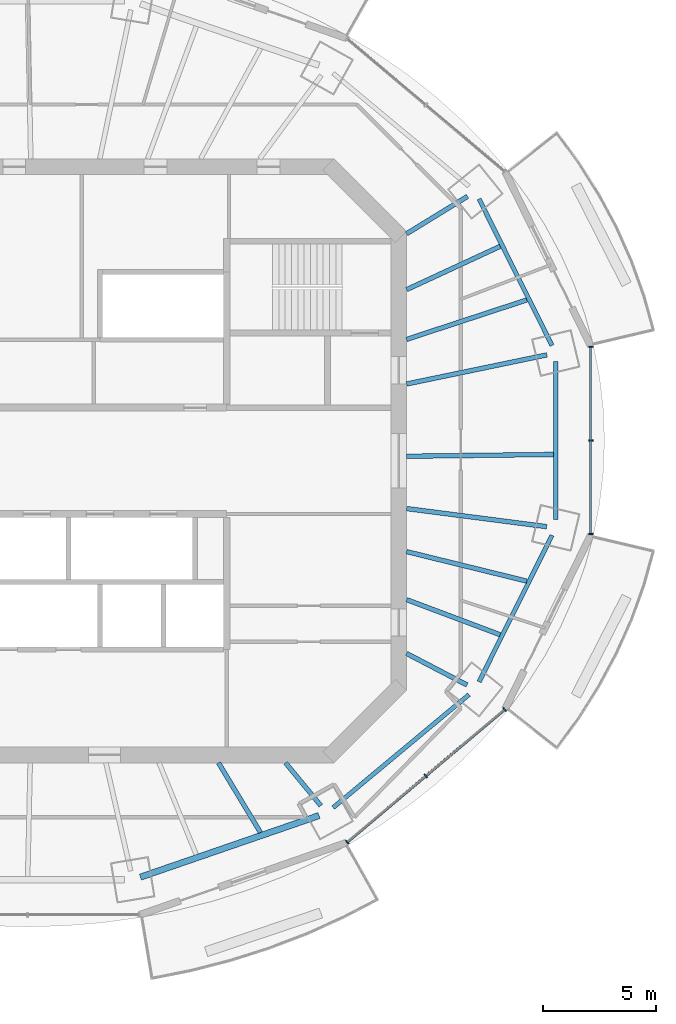
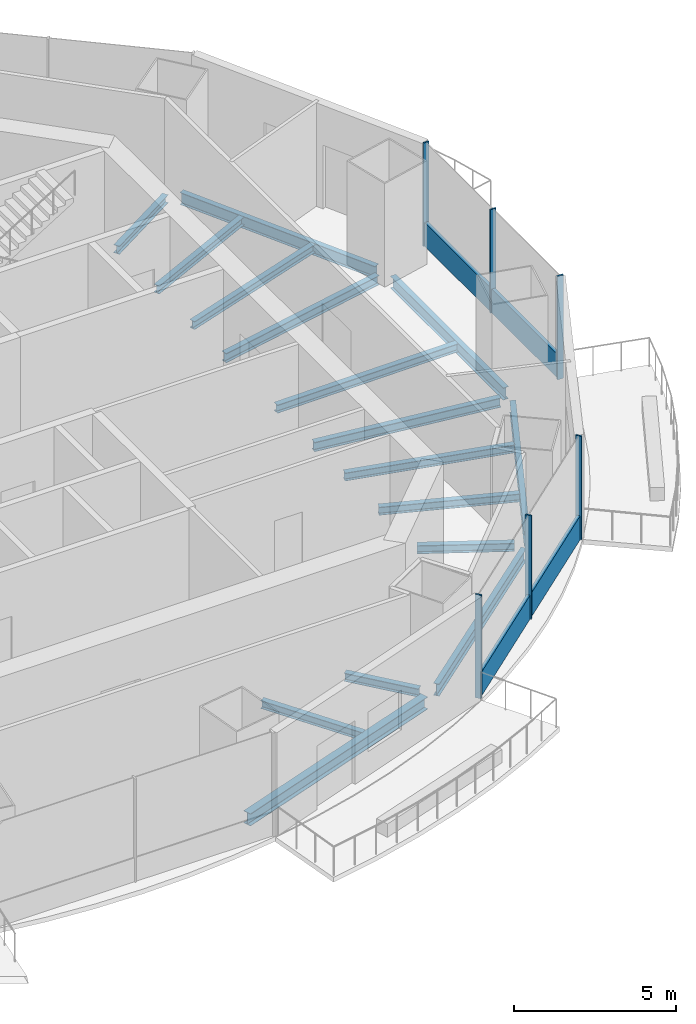
# One storey, part 4 of 14: 16 beams, 8 members, 2 elements without a shape of their own.
"""IFC4 building model written with IfcOpenShell, lengths in metres."""

from ifc_helpers import new_model, si_unit, direction, frame, origin, origin_2d, place, context, subcontext, project, spatial, rectangle, i_section, extrude, material, material_profile, profile_set, type_object, element, aggregate, save


model = new_model("IFC4")

# Units and contexts
model_context = context("Model", 3, precision=1e-05, world=origin(), true_north=direction((0.0, 1.0)))
body_context = subcontext(model_context, "Body", "Model", "MODEL_VIEW")
ifc_project = project(units=[si_unit("LENGTHUNIT", "METRE"), si_unit("AREAUNIT", "SQUARE_METRE"), si_unit("VOLUMEUNIT", "CUBIC_METRE"), si_unit("PLANEANGLEUNIT", "RADIAN"), si_unit("MASSUNIT", "GRAM", prefix="KILO")], contexts=[model_context])

# Site, building, storey
site_placement = place(None, origin())
site = spatial("IfcSite", under=ifc_project, at=site_placement, CompositionType="ELEMENT")
building_placement = place(site_placement, origin())
building = spatial("IfcBuilding", under=site, at=building_placement, Name="Marenthal Gate Tower", CompositionType="ELEMENT")
storey_placement = place(building_placement, frame((0.0, 0.0, 392.39990234375)))
storey = spatial("IfcBuildingStorey", under=building, at=storey_placement, Name="L89", CompositionType="ELEMENT", Elevation=392.39990234375)

# Curtain wall, members
ifc_material_1 = material(Name="Aluminium and glass", Category="aluminium")
curtain_wall_type = type_object("IfcCurtainWallType", Name="Curtain wall typical high", PredefinedType="NOTDEFINED", material=ifc_material_1)
curtain_wall_1_placement = place(storey_placement, origin())
curtain_wall_1 = element("IfcCurtainWall", 1, at=curtain_wall_1_placement, inside=storey, type_object=curtain_wall_type, Name="Curtain wall L89 bay 14", PredefinedType="NOTDEFINED")
ifc_material_2 = material(Name="Aluminium", Category="aluminium")
ifc_material_profile_1 = material_profile(ifc_material_2, rectangle(XDim=0.199951171875, YDim=0.06005859375, at=origin_2d()), Name="60x200 aluminium mullion")
ifc_profile_set_1 = profile_set([ifc_material_profile_1], Name="Aluminium")
member_type_1 = type_object("IfcMemberType", Name="Mullion 60x200 typical high", PredefinedType="MULLION", material=ifc_profile_set_1)
member_1_placement = place(storey_placement, frame((13.723388671875, -16.857421875, 0.0), z_axis=(0.0, 0.0, 1.0), x_axis=(-0.644265226944, 0.764802142616, 0.0)))
member_1 = element("IfcMember", 2, at=member_1_placement, type_object=member_type_1, Name="Mullion L89 bay 14.1", PredefinedType="MULLION", context=body_context, shape_type="SweptSolid", body=[
    extrude(rectangle(XDim=0.199951171875, YDim=0.06005859375, at=origin_2d()), origin(), (0.0, 0.0, 1.0), 3.900146484375),
])
member_2_placement = place(storey_placement, frame((17.20166015625, -13.927490234375, 0.0), z_axis=(0.0, 0.0, 1.0), x_axis=(-0.644265226944, 0.764802142616, 0.0)))
member_2 = element("IfcMember", 3, at=member_2_placement, type_object=member_type_1, Name="Mullion L89 bay 14.2", PredefinedType="MULLION", context=body_context, shape_type="SweptSolid", body=[
    extrude(rectangle(XDim=0.199951171875, YDim=0.06005859375, at=origin_2d()), origin(), (0.0, 0.0, 1.0), 3.900146484375),
])
member_3_placement = place(storey_placement, frame((20.6796875, -10.997314453125, 0.0), z_axis=(0.0, 0.0, 1.0), x_axis=(-0.644265226944, 0.764802142616, 0.0)))
member_3 = element("IfcMember", 4, at=member_3_placement, type_object=member_type_1, Name="Mullion L89 bay 14.3", PredefinedType="MULLION", context=body_context, shape_type="SweptSolid", body=[
    extrude(rectangle(XDim=0.199951171875, YDim=0.06005859375, at=origin_2d()), origin(), (0.0, 0.0, 1.0), 3.900146484375),
])

curtain_wall_2_placement = place(storey_placement, origin())
curtain_wall_2 = element("IfcCurtainWall", 5, at=curtain_wall_2_placement, inside=storey, type_object=curtain_wall_type, Name="Curtain wall L89 bay 16", PredefinedType="NOTDEFINED")
member_4_placement = place(storey_placement, frame((24.4921875, -3.240966796875, 0.0), z_axis=(0.0, 0.0, 1.0), x_axis=(-1.0, 0.0, 0.0)))
member_4 = element("IfcMember", 6, at=member_4_placement, type_object=member_type_1, Name="Mullion L89 bay 16.1", PredefinedType="MULLION", context=body_context, shape_type="SweptSolid", body=[
    extrude(rectangle(XDim=0.199951171875, YDim=0.06005859375, at=origin_2d()), origin(), (0.0, 0.0, 1.0), 3.900146484375),
])
member_5_placement = place(storey_placement, frame((24.4921875, 0.89990234375, 0.0), z_axis=(0.0, 0.0, 1.0), x_axis=(-1.0, 0.0, 0.0)))
member_5 = element("IfcMember", 7, at=member_5_placement, type_object=member_type_1, Name="Mullion L89 bay 16.2", PredefinedType="MULLION", context=body_context, shape_type="SweptSolid", body=[
    extrude(rectangle(XDim=0.199951171875, YDim=0.06005859375, at=origin_2d()), origin(), (0.0, 0.0, 1.0), 3.900146484375),
])
member_6_placement = place(storey_placement, frame((24.4921875, 5.041015625, 0.0), z_axis=(0.0, 0.0, 1.0), x_axis=(-1.0, 0.0, 0.0)))
member_6 = element("IfcMember", 8, at=member_6_placement, type_object=member_type_1, Name="Mullion L89 bay 16.3", PredefinedType="MULLION", context=body_context, shape_type="SweptSolid", body=[
    extrude(rectangle(XDim=0.199951171875, YDim=0.06005859375, at=origin_2d()), origin(), (0.0, 0.0, 1.0), 3.900146484375),
])

# Member
ifc_material_3 = material(Name="Aluminium", Category="aluminium")
ifc_material_profile_2 = material_profile(ifc_material_3, rectangle(XDim=0.1201171875, YDim=0.89990234375, at=origin_2d()), Name="120x900 aluminium transom")
ifc_profile_set_2 = profile_set([ifc_material_profile_2], Name="Aluminium")
member_type_2 = type_object("IfcMemberType", Name="Transom 120x900 typical high", PredefinedType="USERDEFINED", material=ifc_profile_set_2)
member_7_placement = place(storey_placement, frame((13.746337890625, -16.838134765625, 0.4501953125), z_axis=(0.764801880801, 0.644265537743, 0.0), x_axis=(-0.644265537743, 0.764801880801, 0.0)))
member_7 = element("IfcMember", 9, at=member_7_placement, type_object=member_type_2, Name="Transom L89 bay 14", ObjectType="TRANSOM", PredefinedType="USERDEFINED", context=body_context, shape_type="SweptSolid", body=[
    extrude(rectangle(XDim=0.1201171875, YDim=0.89990234375, at=origin_2d()), origin(), (0.0, 0.0, 1.0), 9.03564453125),
])

aggregate(curtain_wall_1, [member_1, member_2, member_3, member_7])

member_8_placement = place(storey_placement, frame((24.4921875, -3.2109375, 0.4501953125), z_axis=(0.0, 1.0, 0.0), x_axis=(-1.0, 0.0, 0.0)))
member_8 = element("IfcMember", 10, at=member_8_placement, type_object=member_type_2, Name="Transom L89 bay 16", ObjectType="TRANSOM", PredefinedType="USERDEFINED", context=body_context, shape_type="SweptSolid", body=[
    extrude(rectangle(XDim=0.1201171875, YDim=0.89990234375, at=origin_2d()), origin(), (0.0, 0.0, 1.0), 8.221923828125),
])

aggregate(curtain_wall_2, [member_4, member_5, member_6, member_8])

# Beams
ifc_material_4 = material(Name="Steel S355", Category="steel")
ifc_material_profile_3 = material_profile(ifc_material_4, i_section(OverallWidth=0.202880859375, OverallDepth=0.302001953125, WebThickness=0.007568359375, FlangeThickness=0.01318359375, FilletRadius=0.0126953125, at=origin_2d()), Name="W310X60")
ifc_profile_set_3 = profile_set([ifc_material_profile_3], Name="Steel S355")
beam_type_1 = type_object("IfcBeamType", Name="W310X60 beam", PredefinedType="BEAM", material=ifc_profile_set_3)
beam_1_placement = place(storey_placement, frame((21.66650390625, 7.11181640625, -0.330810546875), z_axis=(-0.950121914048, -0.311878739971, 0.0), x_axis=(0.311878739971, -0.950121914048, 0.0)))
element("IfcBeam", 11, at=beam_1_placement, inside=storey, type_object=beam_type_1, Name="BM-L89-17", PredefinedType="BEAM", context=body_context, shape_type="SweptSolid", body=[
    extrude(i_section(OverallWidth=0.202880859375, OverallDepth=0.302001953125, WebThickness=0.007568359375, FlangeThickness=0.01318359375, FilletRadius=0.0126953125, at=origin_2d()), origin(), (0.0, 0.0, 1.0), 5.595458984375),
])
beam_2_placement = place(storey_placement, frame((20.48681640625, 9.48095703125, -0.330810546875), z_axis=(-0.907516815218, -0.420015749819, 0.0), x_axis=(0.420015749819, -0.907516815218, 0.0)))
element("IfcBeam", 12, at=beam_2_placement, inside=storey, type_object=beam_type_1, Name="BM-L89-18", PredefinedType="BEAM", context=body_context, shape_type="SweptSolid", body=[
    extrude(i_section(OverallWidth=0.202880859375, OverallDepth=0.302001953125, WebThickness=0.007568359375, FlangeThickness=0.01318359375, FilletRadius=0.0126953125, at=origin_2d()), origin(), (0.0, 0.0, 1.0), 4.558349609375),
])
beam_3_placement = place(storey_placement, frame((9.88916015625, -16.42626953125, -0.330810546875), z_axis=(-0.515795030801, 0.856712020577, 0.0), x_axis=(-0.856712020577, -0.515795030801, 0.0)))
element("IfcBeam", 13, at=beam_3_placement, inside=storey, type_object=beam_type_1, Name="BM-L89-34", PredefinedType="BEAM", context=body_context, shape_type="SweptSolid", body=[
    extrude(i_section(OverallWidth=0.202880859375, OverallDepth=0.302001953125, WebThickness=0.007568359375, FlangeThickness=0.01318359375, FilletRadius=0.0126953125, at=origin_2d()), origin(), (0.0, 0.0, 1.0), 3.590576171875),
])
beam_4_placement = place(storey_placement, frame((20.483642578125, -7.6875, -0.330810546875), z_axis=(-0.936222328992, 0.351408239368, 0.0), x_axis=(-0.351408239368, -0.936222328992, 0.0)))
element("IfcBeam", 14, at=beam_4_placement, inside=storey, type_object=beam_type_1, Name="BM-L89-35", PredefinedType="BEAM", context=body_context, shape_type="SweptSolid", body=[
    extrude(i_section(OverallWidth=0.202880859375, OverallDepth=0.302001953125, WebThickness=0.007568359375, FlangeThickness=0.01318359375, FilletRadius=0.0126953125, at=origin_2d()), origin(), (0.0, 0.0, 1.0), 4.4150390625),
])
beam_5_placement = place(storey_placement, frame((21.6630859375, -5.318603515625, -0.330810546875), z_axis=(-0.971157636969, 0.23843834456, 0.0), x_axis=(-0.23843834456, -0.971157636969, 0.0)))
element("IfcBeam", 15, at=beam_5_placement, inside=storey, type_object=beam_type_1, Name="BM-L89-36", PredefinedType="BEAM", context=body_context, shape_type="SweptSolid", body=[
    extrude(i_section(OverallWidth=0.202880859375, OverallDepth=0.302001953125, WebThickness=0.007568359375, FlangeThickness=0.01318359375, FilletRadius=0.0126953125, at=origin_2d()), origin(), (0.0, 0.0, 1.0), 5.470703125),
])
ifc_material_5 = material(Name="Steel S355", Category="steel")
ifc_material_profile_4 = material_profile(ifc_material_5, i_section(OverallWidth=0.205078125, OverallDepth=0.31005859375, WebThickness=0.009521484375, FlangeThickness=0.016357421875, FilletRadius=0.0126953125, at=origin_2d()), Name="W310X74")
ifc_profile_set_4 = profile_set([ifc_material_profile_4], Name="Steel S355")
beam_type_2 = type_object("IfcBeamType", Name="W310X74 beam", PredefinedType="BEAM", material=ifc_profile_set_4)
beam_6_placement = place(storey_placement, frame((19.0419921875, 11.687255859375, -0.3349609375), z_axis=(-0.852286702613, -0.523074924413, 0.0), x_axis=(0.523074924413, -0.852286702613, 0.0)))
element("IfcBeam", 16, at=beam_6_placement, inside=storey, type_object=beam_type_2, Name="BM-L89-02", PredefinedType="BEAM", context=body_context, shape_type="SweptSolid", body=[
    extrude(i_section(OverallWidth=0.205078125, OverallDepth=0.31005859375, WebThickness=0.009521484375, FlangeThickness=0.016357421875, FilletRadius=0.0126953125, at=origin_2d()), origin(), (0.0, 0.0, 1.0), 3.158447265625),
])
beam_7_placement = place(storey_placement, frame((12.55859375, -15.242919921875, -0.3349609375), z_axis=(-0.635836353216, 0.771823899558, 0.0), x_axis=(-0.771823899558, -0.635836353216, 0.0)))
element("IfcBeam", 17, at=beam_7_placement, inside=storey, type_object=beam_type_2, Name="BM-L89-14", PredefinedType="BEAM", context=body_context, shape_type="SweptSolid", body=[
    extrude(i_section(OverallWidth=0.205078125, OverallDepth=0.31005859375, WebThickness=0.009521484375, FlangeThickness=0.016357421875, FilletRadius=0.0126953125, at=origin_2d()), origin(), (0.0, 0.0, 1.0), 2.452392578125),
])
beam_8_placement = place(storey_placement, frame((19.0185546875, -9.9072265625, -0.3349609375), z_axis=(-0.88687114126, 0.462016859866, 0.0), x_axis=(-0.462016859866, -0.88687114126, 0.0)))
element("IfcBeam", 18, at=beam_8_placement, inside=storey, type_object=beam_type_2, Name="BM-L89-15", PredefinedType="BEAM", context=body_context, shape_type="SweptSolid", body=[
    extrude(i_section(OverallWidth=0.205078125, OverallDepth=0.31005859375, WebThickness=0.009521484375, FlangeThickness=0.016357421875, FilletRadius=0.0126953125, at=origin_2d()), origin(), (0.0, 0.0, 1.0), 3.0087890625),
])
beam_9_placement = place(storey_placement, frame((22.84716796875, 0.28076171875, -0.3349609375), z_axis=(-0.999924514888, -0.012286762226, 0.0), x_axis=(0.012286762226, -0.999924514888, 0.0)))
element("IfcBeam", 19, at=beam_9_placement, inside=storey, type_object=beam_type_2, Name="BM-L89-37", PredefinedType="BEAM", context=body_context, shape_type="SweptSolid", body=[
    extrude(i_section(OverallWidth=0.205078125, OverallDepth=0.31005859375, WebThickness=0.009521484375, FlangeThickness=0.016357421875, FilletRadius=0.0126953125, at=origin_2d()), origin(), (0.0, 0.0, 1.0), 6.49755859375),
])
ifc_material_6 = material(Name="Steel S355", Category="steel")
ifc_material_profile_5 = material_profile(ifc_material_6, i_section(OverallWidth=0.205078125, OverallDepth=0.35302734375, WebThickness=0.009521484375, FlangeThickness=0.016845703125, FilletRadius=0.014892578125, at=origin_2d()), Name="W360X79")
ifc_profile_set_5 = profile_set([ifc_material_profile_5], Name="Steel S355")
beam_type_3 = type_object("IfcBeamType", Name="W360X79 beam", PredefinedType="BEAM", material=ifc_profile_set_5)
beam_10_placement = place(storey_placement, frame((22.55078125, 4.681396484375, -0.3564453125), z_axis=(-0.979128337285, -0.203242955908, 0.0), x_axis=(0.203242955908, -0.979128337285, 0.0)))
element("IfcBeam", 20, at=beam_10_placement, inside=storey, type_object=beam_type_3, Name="BM-L89-01", PredefinedType="BEAM", context=body_context, shape_type="SweptSolid", body=[
    extrude(i_section(OverallWidth=0.205078125, OverallDepth=0.35302734375, WebThickness=0.009521484375, FlangeThickness=0.016845703125, FilletRadius=0.014892578125, at=origin_2d()), origin(), (0.0, 0.0, 1.0), 6.332763671875),
])
beam_11_placement = place(storey_placement, frame((22.541015625, -2.910888671875, -0.3564453125), z_axis=(-0.991762968322, 0.128086746638, 0.0), x_axis=(-0.128086746638, -0.991762968322, 0.0)))
element("IfcBeam", 21, at=beam_11_placement, inside=storey, type_object=beam_type_3, Name="BM-L89-16", PredefinedType="BEAM", context=body_context, shape_type="SweptSolid", body=[
    extrude(i_section(OverallWidth=0.205078125, OverallDepth=0.35302734375, WebThickness=0.009521484375, FlangeThickness=0.016845703125, FilletRadius=0.014892578125, at=origin_2d()), origin(), (0.0, 0.0, 1.0), 6.242431640625),
])
ifc_material_7 = material(Name="Steel S355", Category="steel")
ifc_material_profile_6 = material_profile(ifc_material_7, i_section(OverallWidth=0.279052734375, OverallDepth=0.4619140625, WebThickness=0.0107421875, FlangeThickness=0.017333984375, FilletRadius=0.010009765625, at=origin_2d()), Name="W460X113")
ifc_profile_set_6 = profile_set([ifc_material_profile_6], Name="Steel S355")
beam_type_4 = type_object("IfcBeamType", Name="W460X113 beam", PredefinedType="BEAM", material=ifc_profile_set_6)
beam_12_placement = place(storey_placement, frame((4.58544921875, -18.401611328125, -0.410888671875), z_axis=(0.94543573541, 0.325808640478, 0.0), x_axis=(-0.325808640478, 0.94543573541, 0.0)))
element("IfcBeam", 22, at=beam_12_placement, inside=storey, type_object=beam_type_4, Name="BM-L89-50", PredefinedType="BEAM", context=body_context, shape_type="SweptSolid", body=[
    extrude(i_section(OverallWidth=0.279052734375, OverallDepth=0.4619140625, WebThickness=0.0107421875, FlangeThickness=0.017333984375, FilletRadius=0.010009765625, at=origin_2d()), origin(), (0.0, 0.0, 1.0), 8.34912109375),
])
ifc_material_8 = material(Name="Steel S355", Category="steel")
ifc_material_profile_7 = material_profile(ifc_material_8, i_section(OverallWidth=0.19091796875, OverallDepth=0.45703125, WebThickness=0.009033203125, FlangeThickness=0.014404296875, FilletRadius=0.01025390625, at=origin_2d()), Name="W460X74")
ifc_profile_set_7 = profile_set([ifc_material_profile_7], Name="Steel S355")
beam_type_5 = type_object("IfcBeamType", Name="W460X74 beam", PredefinedType="BEAM", material=ifc_profile_set_7)
beam_13_placement = place(storey_placement, frame((22.776611328125, 5.09619140625, -0.408447265625), z_axis=(-0.445686804831, 0.895188958824, 0.0), x_axis=(-0.895188958824, -0.445686804831, 0.0)))
element("IfcBeam", 23, at=beam_13_placement, inside=storey, type_object=beam_type_5, Name="BM-L89-38", PredefinedType="BEAM", context=body_context, shape_type="SweptSolid", body=[
    extrude(i_section(OverallWidth=0.19091796875, OverallDepth=0.45703125, WebThickness=0.009033203125, FlangeThickness=0.014404296875, FilletRadius=0.01025390625, at=origin_2d()), origin(), (0.0, 0.0, 1.0), 7.230712890625),
])
beam_14_placement = place(storey_placement, frame((13.103271484375, -15.32958984375, -0.408447265625), z_axis=(0.768754019675, 0.63954457017, 0.0), x_axis=(-0.63954457017, 0.768754019675, 0.0)))
element("IfcBeam", 24, at=beam_14_placement, inside=storey, type_object=beam_type_5, Name="BM-L89-51", PredefinedType="BEAM", context=body_context, shape_type="SweptSolid", body=[
    extrude(i_section(OverallWidth=0.19091796875, OverallDepth=0.45703125, WebThickness=0.009033203125, FlangeThickness=0.014404296875, FilletRadius=0.01025390625, at=origin_2d()), origin(), (0.0, 0.0, 1.0), 7.809326171875),
])
beam_15_placement = place(storey_placement, frame((19.553955078125, -9.76904296875, -0.408447265625), z_axis=(0.445686804831, 0.895188958824, 0.0), x_axis=(-0.895188958824, 0.445686804831, 0.0)))
element("IfcBeam", 25, at=beam_15_placement, inside=storey, type_object=beam_type_5, Name="BM-L89-52", PredefinedType="BEAM", context=body_context, shape_type="SweptSolid", body=[
    extrude(i_section(OverallWidth=0.19091796875, OverallDepth=0.45703125, WebThickness=0.009033203125, FlangeThickness=0.014404296875, FilletRadius=0.01025390625, at=origin_2d()), origin(), (0.0, 0.0, 1.0), 7.230712890625),
])
beam_16_placement = place(storey_placement, frame((22.942626953125, -2.5888671875, -0.408447265625), z_axis=(0.0, 1.0, 0.0), x_axis=(-1.0, 0.0, 0.0)))
element("IfcBeam", 26, at=beam_16_placement, inside=storey, type_object=beam_type_5, Name="BM-L89-53", PredefinedType="BEAM", context=body_context, shape_type="SweptSolid", body=[
    extrude(i_section(OverallWidth=0.19091796875, OverallDepth=0.45703125, WebThickness=0.009033203125, FlangeThickness=0.014404296875, FilletRadius=0.01025390625, at=origin_2d()), origin(), (0.0, 0.0, 1.0), 6.977783203125),
])

save(model, "model.ifc")
